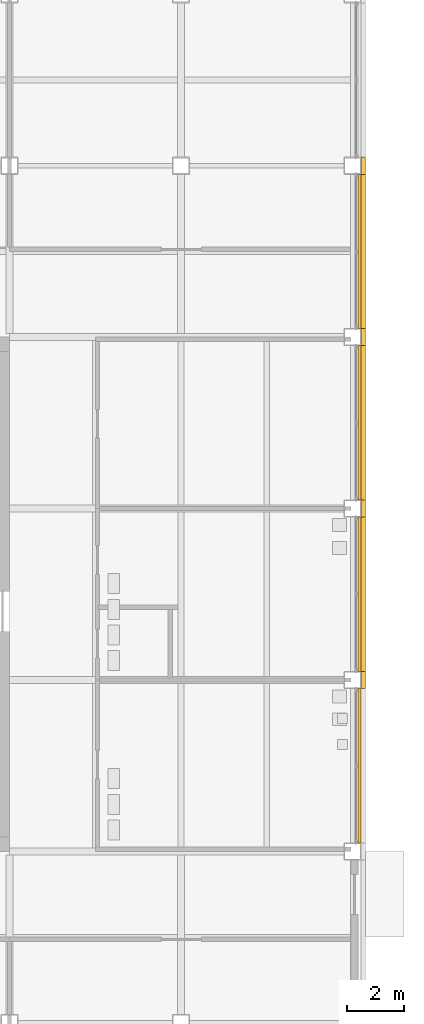
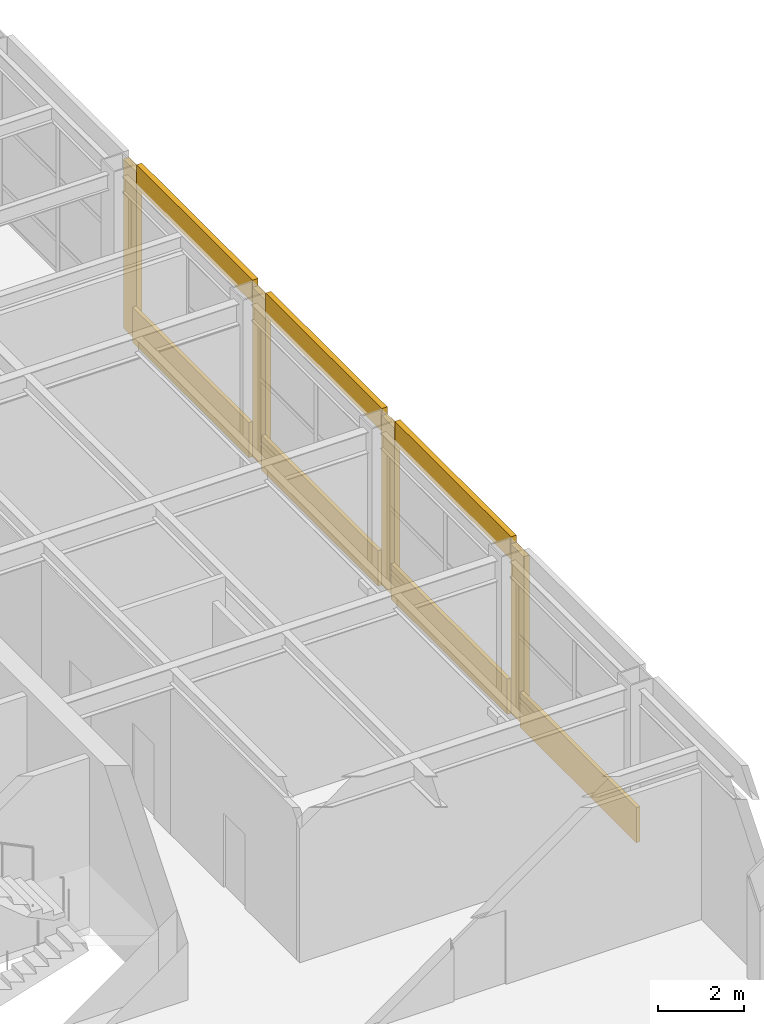
# One storey, part 70 of 77: 11 coverings.
"""IFC4 building model written with IfcOpenShell, lengths in metres."""

from ifc_helpers import new_model, si_unit, direction, frame, origin, place, context, subcontext, project, spatial, polyline, outline, extrude, material, layer, layer_set, type_object, element, save


model = new_model("IFC4")

# Units and contexts
model_context = context("Model", 3, precision=1e-05, world=origin(), true_north=direction((0.0, 1.0)))
body_context = subcontext(model_context, "Body", "Model", "MODEL_VIEW")
ifc_project = project(units=[si_unit("LENGTHUNIT", "METRE"), si_unit("AREAUNIT", "SQUARE_METRE"), si_unit("VOLUMEUNIT", "CUBIC_METRE"), si_unit("PLANEANGLEUNIT", "RADIAN"), si_unit("MASSUNIT", "GRAM", prefix="KILO")], contexts=[model_context])

# Site, building, storey
site_placement = place(None, origin())
site = spatial("IfcSite", under=ifc_project, at=site_placement, CompositionType="ELEMENT")
building_placement = place(site_placement, origin())
building = spatial("IfcBuilding", under=site, at=building_placement, Name="Aravalli Gate Trade Fair Centre", CompositionType="ELEMENT")
storey_placement = place(building_placement, origin())
storey = spatial("IfcBuildingStorey", under=building, at=storey_placement, Name="L00", CompositionType="ELEMENT", Elevation=0.0)

# Coverings
ifc_material_1 = material(Name="Dholpur sandstone", Category="masonry")
ifc_layer_1 = layer(ifc_material_1, 0.14990234375)
ifc_layer_set_1 = layer_set([ifc_layer_1], Name="Dholpur sandstone")
covering_type_1 = type_object("IfcCoveringType", Name="Wing sandstone pier casing 150", PredefinedType="CLADDING", material=ifc_layer_set_1)
covering_1_placement = place(storey_placement, origin())
element("IfcCovering", 1, at=covering_1_placement, inside=storey, type_object=covering_type_1, Name="Pier casing 25H E L00", PredefinedType="CLADDING", context=body_context, shape_type="SweptSolid", body=[
    extrude(outline(polyline([(202.300048828125, 108.699951171875), (202.449951171875, 108.699951171875), (202.449951171875, 109.300048828125), (202.300048828125, 109.300048828125), (202.300048828125, 108.699951171875)])), origin(), (0.0, 0.0, 1.0), 4.800048828125),
])
covering_2_placement = place(storey_placement, origin())
element("IfcCovering", 2, at=covering_2_placement, inside=storey, type_object=covering_type_1, Name="Pier casing 25T3 E L00", PredefinedType="CLADDING", context=body_context, shape_type="SweptSolid", body=[
    extrude(outline(polyline([(202.300048828125, 114.699951171875), (202.449951171875, 114.699951171875), (202.449951171875, 115.300048828125), (202.300048828125, 115.300048828125), (202.300048828125, 114.699951171875)])), origin(), (0.0, 0.0, 1.0), 4.800048828125),
])
covering_3_placement = place(storey_placement, origin())
element("IfcCovering", 3, at=covering_3_placement, inside=storey, type_object=covering_type_1, Name="Pier casing 25J E L00", PredefinedType="CLADDING", context=body_context, shape_type="SweptSolid", body=[
    extrude(outline(polyline([(202.300048828125, 120.699951171875), (202.449951171875, 120.699951171875), (202.449951171875, 121.300048828125), (202.300048828125, 121.300048828125), (202.300048828125, 120.699951171875)])), origin(), (0.0, 0.0, 1.0), 4.800048828125),
])
covering_4_placement = place(storey_placement, origin())
element("IfcCovering", 4, at=covering_4_placement, inside=storey, type_object=covering_type_1, Name="Pier casing 25T4 E L00", PredefinedType="CLADDING", context=body_context, shape_type="SweptSolid", body=[
    extrude(outline(polyline([(202.300048828125, 126.699951171875), (202.449951171875, 126.699951171875), (202.449951171875, 127.300048828125), (202.300048828125, 127.300048828125), (202.300048828125, 126.699951171875)])), origin(), (0.0, 0.0, 1.0), 4.800048828125),
])
ifc_material_2 = material(Name="Glazed terracotta", Category="masonry")
ifc_layer_2 = layer(ifc_material_2, 0.14501953125)
ifc_layer_set_2 = layer_set([ifc_layer_2], Name="Glazed terracotta")
covering_type_2 = type_object("IfcCoveringType", Name="Wing spandrel band 145", PredefinedType="CLADDING", material=ifc_layer_set_2)
covering_5_placement = place(storey_placement, frame((0.0, 0.0, 4.35009765625)))
element("IfcCovering", 5, at=covering_5_placement, inside=storey, type_object=covering_type_2, Name="Spandrel band E3 L00", PredefinedType="CLADDING", context=body_context, shape_type="SweptSolid", body=[
    extrude(outline(polyline([(202.304931640625, 109.300048828125), (202.449951171875, 109.300048828125), (202.449951171875, 114.699951171875), (202.304931640625, 114.699951171875), (202.304931640625, 109.300048828125)])), origin(), (0.0, 0.0, 1.0), 0.64990234375),
])
covering_6_placement = place(storey_placement, frame((0.0, 0.0, 4.35009765625)))
element("IfcCovering", 6, at=covering_6_placement, inside=storey, type_object=covering_type_2, Name="Spandrel band E4 L00", PredefinedType="CLADDING", context=body_context, shape_type="SweptSolid", body=[
    extrude(outline(polyline([(202.304931640625, 115.300048828125), (202.449951171875, 115.300048828125), (202.449951171875, 120.699951171875), (202.304931640625, 120.699951171875), (202.304931640625, 115.300048828125)])), origin(), (0.0, 0.0, 1.0), 0.64990234375),
])
covering_7_placement = place(storey_placement, frame((0.0, 0.0, 4.35009765625)))
element("IfcCovering", 7, at=covering_7_placement, inside=storey, type_object=covering_type_2, Name="Spandrel band E5 L00", PredefinedType="CLADDING", context=body_context, shape_type="SweptSolid", body=[
    extrude(outline(polyline([(202.304931640625, 121.300048828125), (202.449951171875, 121.300048828125), (202.449951171875, 126.699951171875), (202.304931640625, 126.699951171875), (202.304931640625, 121.300048828125)])), origin(), (0.0, 0.0, 1.0), 0.64990234375),
])
ifc_layer_3 = layer(ifc_material_1, 0.10009765625)
ifc_layer_set_3 = layer_set([ifc_layer_3], Name="Dholpur sandstone")
covering_type_3 = type_object("IfcCoveringType", Name="Wing stone base course 100", PredefinedType="CLADDING", material=ifc_layer_set_3)
covering_8_placement = place(storey_placement, origin())
element("IfcCovering", 8, at=covering_8_placement, inside=storey, type_object=covering_type_3, Name="Stone base course E2 L00", PredefinedType="CLADDING", context=body_context, shape_type="SweptSolid", body=[
    extrude(outline(polyline([(202.199951171875, 103.300048828125), (202.300048828125, 103.300048828125), (202.300048828125, 108.699951171875), (202.199951171875, 108.699951171875), (202.199951171875, 103.300048828125)])), origin(), (0.0, 0.0, 1.0), 1.0),
])
covering_9_placement = place(storey_placement, origin())
element("IfcCovering", 9, at=covering_9_placement, inside=storey, type_object=covering_type_3, Name="Stone base course E3 L00", PredefinedType="CLADDING", context=body_context, shape_type="SweptSolid", body=[
    extrude(outline(polyline([(202.199951171875, 109.300048828125), (202.300048828125, 109.300048828125), (202.300048828125, 114.699951171875), (202.199951171875, 114.699951171875), (202.199951171875, 109.300048828125)])), origin(), (0.0, 0.0, 1.0), 1.0),
])
covering_10_placement = place(storey_placement, origin())
element("IfcCovering", 10, at=covering_10_placement, inside=storey, type_object=covering_type_3, Name="Stone base course E4 L00", PredefinedType="CLADDING", context=body_context, shape_type="SweptSolid", body=[
    extrude(outline(polyline([(202.199951171875, 115.300048828125), (202.300048828125, 115.300048828125), (202.300048828125, 120.699951171875), (202.199951171875, 120.699951171875), (202.199951171875, 115.300048828125)])), origin(), (0.0, 0.0, 1.0), 1.0),
])
covering_11_placement = place(storey_placement, origin())
element("IfcCovering", 11, at=covering_11_placement, inside=storey, type_object=covering_type_3, Name="Stone base course E5 L00", PredefinedType="CLADDING", context=body_context, shape_type="SweptSolid", body=[
    extrude(outline(polyline([(202.199951171875, 121.300048828125), (202.300048828125, 121.300048828125), (202.300048828125, 126.699951171875), (202.199951171875, 126.699951171875), (202.199951171875, 121.300048828125)])), origin(), (0.0, 0.0, 1.0), 1.0),
])

save(model, "model.ifc")
